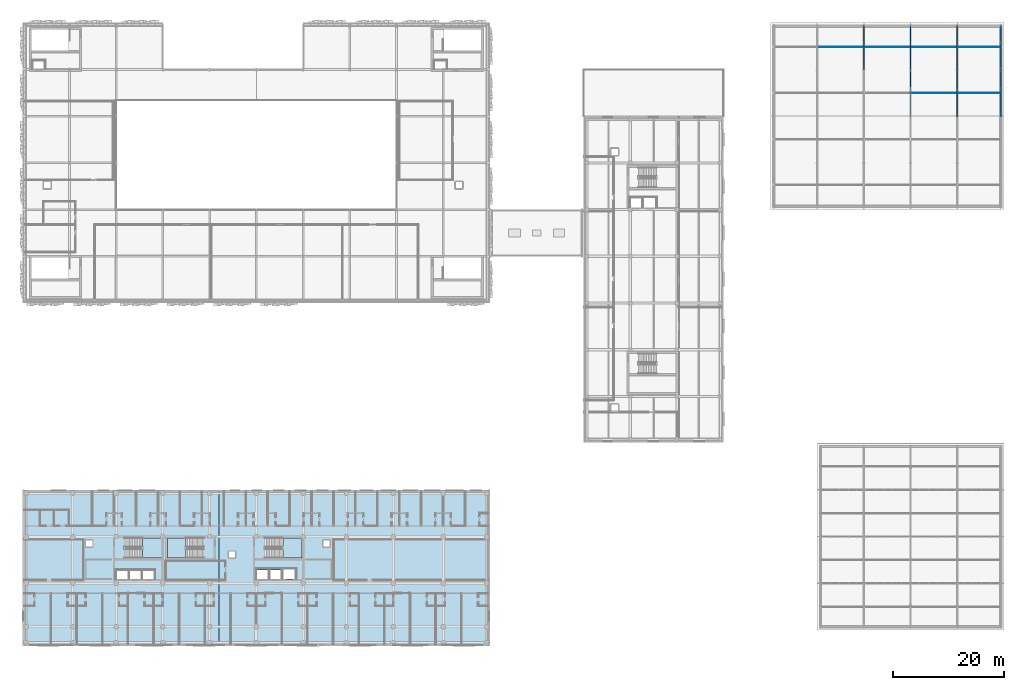
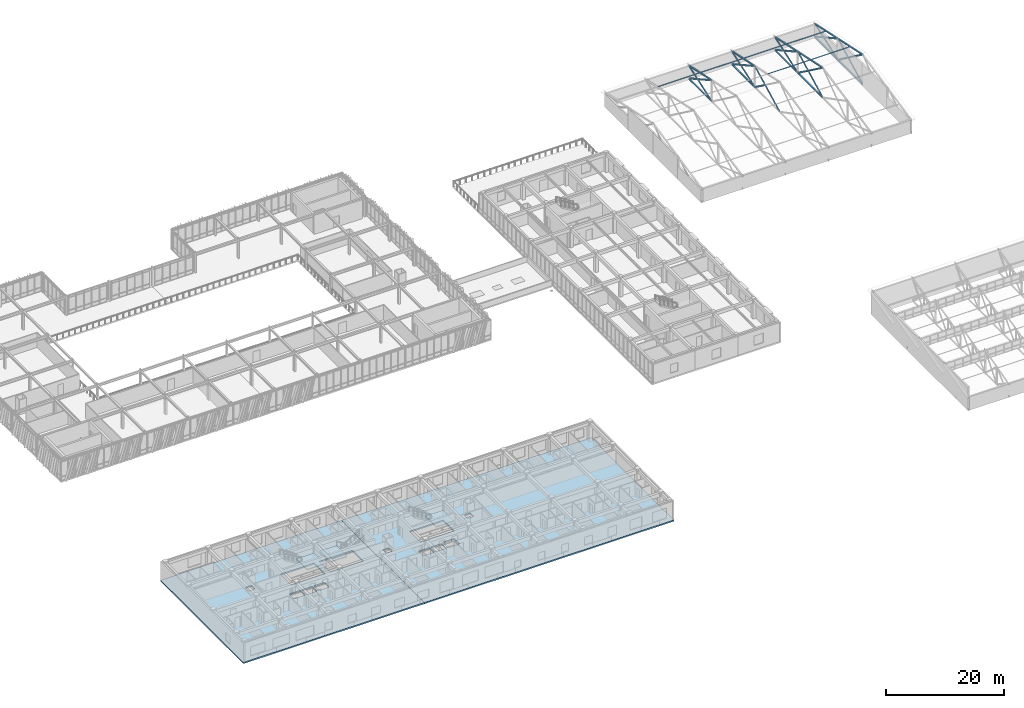
# One storey, part 85 of 123: 38 members, 5 slabs, 3 elements without a shape of their own.
"""IFC4 building model written with IfcOpenShell, lengths in metres."""

from ifc_helpers import new_model, si_unit, direction, frame, origin, origin_2d, place, context, subcontext, project, spatial, polyline, hollow_rectangle, i_section, outline, extrude, material, layer, layer_set, material_profile, profile_set, type_object, element, aggregate, save


model = new_model("IFC4")

# Units and contexts
model_context = context("Model", 3, precision=1e-05, world=origin(), true_north=direction((0.0, 1.0)))
body_context = subcontext(model_context, "Body", "Model", "MODEL_VIEW")
ifc_project = project(units=[si_unit("LENGTHUNIT", "METRE"), si_unit("AREAUNIT", "SQUARE_METRE"), si_unit("VOLUMEUNIT", "CUBIC_METRE"), si_unit("PLANEANGLEUNIT", "RADIAN"), si_unit("MASSUNIT", "GRAM", prefix="KILO")], contexts=[model_context])

# Site, building, storey
site_placement = place(None, origin())
site = spatial("IfcSite", under=ifc_project, at=site_placement, CompositionType="ELEMENT")
building_placement = place(site_placement, origin())
building = spatial("IfcBuilding", under=site, at=building_placement, Name="Zayran Congress Hotel", CompositionType="ELEMENT")
storey_placement = place(building_placement, frame((0.0, 0.0, 15.0)))
storey = spatial("IfcBuildingStorey", under=building, at=storey_placement, Name="L03", CompositionType="ELEMENT", Elevation=15.0)

# Members
ifc_material_1 = material(Name="Steel S355", Category="steel")
ifc_material_profile_1 = material_profile(ifc_material_1, i_section(OverallWidth=0.239990234375, OverallDepth=0.239990234375, WebThickness=0.010009765625, FlangeThickness=0.01708984375, at=origin_2d()), Name="HEB 240")
ifc_profile_set_1 = profile_set([ifc_material_profile_1], Name="Steel S355")
member_type_1 = type_object("IfcMemberType", Name="TP-TR-CH1", PredefinedType="CHORD", material=ifc_profile_set_1)
member_1_placement = place(storey_placement, frame((159.60009765625, 109.60009765625, 0.0), z_axis=(0.0, 1.0, 0.0), x_axis=(-1.0, 0.0, 0.0)))
element("IfcMember", 1, at=member_1_placement, inside=storey, type_object=member_type_1, Name="Ballroom Truss Bottom Chord 618", PredefinedType="CHORD", context=body_context, shape_type="SweptSolid", body=[
    extrude(i_section(OverallWidth=0.239990234375, OverallDepth=0.239990234375, WebThickness=0.010009765625, FlangeThickness=0.01708984375, at=origin_2d()), origin(), (0.0, 0.0, 1.0), 7.7998046875),
])
member_2_placement = place(storey_placement, frame((159.60009765625, 109.60009765625, 4.33544921875), z_axis=(0.0, 0.978146087871, -0.207918808149), x_axis=(-1.0, 0.0, 0.0)))
element("IfcMember", 2, at=member_2_placement, inside=storey, type_object=member_type_1, Name="Ballroom Truss Top Chord 619", PredefinedType="CHORD", context=body_context, shape_type="SweptSolid", body=[
    extrude(i_section(OverallWidth=0.239990234375, OverallDepth=0.239990234375, WebThickness=0.010009765625, FlangeThickness=0.01708984375, at=origin_2d()), origin(), (0.0, 0.0, 1.0), 7.97412109375),
])
member_3_placement = place(storey_placement, frame((168.0, 109.60009765625, 0.0), z_axis=(0.0, 1.0, 0.0), x_axis=(-1.0, 0.0, 0.0)))
element("IfcMember", 3, at=member_3_placement, inside=storey, type_object=member_type_1, Name="Ballroom Truss Bottom Chord 634", PredefinedType="CHORD", context=body_context, shape_type="SweptSolid", body=[
    extrude(i_section(OverallWidth=0.239990234375, OverallDepth=0.239990234375, WebThickness=0.010009765625, FlangeThickness=0.01708984375, at=origin_2d()), origin(), (0.0, 0.0, 1.0), 7.7998046875),
])
member_4_placement = place(storey_placement, frame((168.0, 109.60009765625, 4.33544921875), z_axis=(0.0, 0.978146087871, -0.207918808149), x_axis=(-1.0, 0.0, 0.0)))
element("IfcMember", 4, at=member_4_placement, inside=storey, type_object=member_type_1, Name="Ballroom Truss Top Chord 635", PredefinedType="CHORD", context=body_context, shape_type="SweptSolid", body=[
    extrude(i_section(OverallWidth=0.239990234375, OverallDepth=0.239990234375, WebThickness=0.010009765625, FlangeThickness=0.01708984375, at=origin_2d()), origin(), (0.0, 0.0, 1.0), 7.97412109375),
])
member_5_placement = place(storey_placement, frame((176.39990234375, 101.199951171875, 0.0), z_axis=(0.0, 1.0, 0.0), x_axis=(-1.0, 0.0, 0.0)))
element("IfcMember", 5, at=member_5_placement, inside=storey, type_object=member_type_1, Name="Ballroom Truss Bottom Chord 646", PredefinedType="CHORD", context=body_context, shape_type="SweptSolid", body=[
    extrude(i_section(OverallWidth=0.239990234375, OverallDepth=0.239990234375, WebThickness=0.010009765625, FlangeThickness=0.01708984375, at=origin_2d()), origin(), (0.0, 0.0, 1.0), 8.400146484375),
])
member_6_placement = place(storey_placement, frame((176.39990234375, 101.199951171875, 6.12109375), z_axis=(0.0, 0.97814432608, -0.207927096258), x_axis=(-1.0, 0.0, 0.0)))
element("IfcMember", 6, at=member_6_placement, inside=storey, type_object=member_type_1, Name="Ballroom Truss Top Chord 647", PredefinedType="CHORD", context=body_context, shape_type="SweptSolid", body=[
    extrude(i_section(OverallWidth=0.239990234375, OverallDepth=0.239990234375, WebThickness=0.010009765625, FlangeThickness=0.01708984375, at=origin_2d()), origin(), (0.0, 0.0, 1.0), 8.587890625),
])
member_7_placement = place(storey_placement, frame((176.39990234375, 109.60009765625, 0.0), z_axis=(0.0, 1.0, 0.0), x_axis=(-1.0, 0.0, 0.0)))
element("IfcMember", 7, at=member_7_placement, inside=storey, type_object=member_type_1, Name="Ballroom Truss Bottom Chord 650", PredefinedType="CHORD", context=body_context, shape_type="SweptSolid", body=[
    extrude(i_section(OverallWidth=0.239990234375, OverallDepth=0.239990234375, WebThickness=0.010009765625, FlangeThickness=0.01708984375, at=origin_2d()), origin(), (0.0, 0.0, 1.0), 7.7998046875),
])
member_8_placement = place(storey_placement, frame((176.39990234375, 109.60009765625, 4.33544921875), z_axis=(0.0, 0.978146087871, -0.207918808149), x_axis=(-1.0, 0.0, 0.0)))
element("IfcMember", 8, at=member_8_placement, inside=storey, type_object=member_type_1, Name="Ballroom Truss Top Chord 651", PredefinedType="CHORD", context=body_context, shape_type="SweptSolid", body=[
    extrude(i_section(OverallWidth=0.239990234375, OverallDepth=0.239990234375, WebThickness=0.010009765625, FlangeThickness=0.01708984375, at=origin_2d()), origin(), (0.0, 0.0, 1.0), 7.97412109375),
])
member_9_placement = place(storey_placement, frame((184.199951171875, 101.199951171875, 0.0), z_axis=(0.0, 1.0, 0.0), x_axis=(-1.0, 0.0, 0.0)))
element("IfcMember", 9, at=member_9_placement, inside=storey, type_object=member_type_1, Name="Ballroom Truss Bottom Chord 662", PredefinedType="CHORD", context=body_context, shape_type="SweptSolid", body=[
    extrude(i_section(OverallWidth=0.239990234375, OverallDepth=0.239990234375, WebThickness=0.010009765625, FlangeThickness=0.01708984375, at=origin_2d()), origin(), (0.0, 0.0, 1.0), 8.400146484375),
])
member_10_placement = place(storey_placement, frame((184.199951171875, 101.199951171875, 6.12109375), z_axis=(0.0, 0.97814432608, -0.207927096258), x_axis=(-1.0, 0.0, 0.0)))
element("IfcMember", 10, at=member_10_placement, inside=storey, type_object=member_type_1, Name="Ballroom Truss Top Chord 663", PredefinedType="CHORD", context=body_context, shape_type="SweptSolid", body=[
    extrude(i_section(OverallWidth=0.239990234375, OverallDepth=0.239990234375, WebThickness=0.010009765625, FlangeThickness=0.01708984375, at=origin_2d()), origin(), (0.0, 0.0, 1.0), 8.587890625),
])
member_11_placement = place(storey_placement, frame((184.199951171875, 109.60009765625, 0.0), z_axis=(0.0, 1.0, 0.0), x_axis=(-1.0, 0.0, 0.0)))
element("IfcMember", 11, at=member_11_placement, inside=storey, type_object=member_type_1, Name="Ballroom Truss Bottom Chord 666", PredefinedType="CHORD", context=body_context, shape_type="SweptSolid", body=[
    extrude(i_section(OverallWidth=0.239990234375, OverallDepth=0.239990234375, WebThickness=0.010009765625, FlangeThickness=0.01708984375, at=origin_2d()), origin(), (0.0, 0.0, 1.0), 7.7998046875),
])
member_12_placement = place(storey_placement, frame((184.199951171875, 109.60009765625, 4.33544921875), z_axis=(0.0, 0.978146087871, -0.207918808149), x_axis=(-1.0, 0.0, 0.0)))
element("IfcMember", 12, at=member_12_placement, inside=storey, type_object=member_type_1, Name="Ballroom Truss Top Chord 667", PredefinedType="CHORD", context=body_context, shape_type="SweptSolid", body=[
    extrude(i_section(OverallWidth=0.239990234375, OverallDepth=0.239990234375, WebThickness=0.010009765625, FlangeThickness=0.01708984375, at=origin_2d()), origin(), (0.0, 0.0, 1.0), 7.97412109375),
])
ifc_material_profile_2 = material_profile(ifc_material_1, i_section(OverallWidth=0.14990234375, OverallDepth=0.300048828125, WebThickness=0.007080078125, FlangeThickness=0.0107421875, at=origin_2d()), Name="IPE 300")
ifc_profile_set_2 = profile_set([ifc_material_profile_2], Name="Steel S355")
member_type_2 = type_object("IfcMemberType", Name="TP-TR-BR1", PredefinedType="BRACE", material=ifc_profile_set_2)
member_13_placement = place(storey_placement, frame((159.60009765625, 109.60009765625, 0.0), z_axis=(0.0, 0.945824171831, 0.324679281723), x_axis=(-1.0, 0.0, 0.0)))
element("IfcMember", 13, at=member_13_placement, inside=storey, type_object=member_type_2, Name="Ballroom Truss Web Diagonal 620", PredefinedType="BRACE", context=body_context, shape_type="SweptSolid", body=[
    extrude(i_section(OverallWidth=0.14990234375, OverallDepth=0.300048828125, WebThickness=0.007080078125, FlangeThickness=0.0107421875, at=origin_2d()), origin(), (0.0, 0.0, 1.0), 8.24658203125),
])
member_14_placement = place(storey_placement, frame((168.0, 101.199951171875, 0.0), z_axis=(0.0, 0.888625410681, 0.458633709503), x_axis=(-1.0, 0.0, 0.0)))
element("IfcMember", 14, at=member_14_placement, inside=storey, type_object=member_type_2, Name="Ballroom Truss Web Diagonal 632", PredefinedType="BRACE", context=body_context, shape_type="SweptSolid", body=[
    extrude(i_section(OverallWidth=0.14990234375, OverallDepth=0.300048828125, WebThickness=0.007080078125, FlangeThickness=0.0107421875, at=origin_2d()), origin(), (0.0, 0.0, 1.0), 9.452880859375),
])
member_15_placement = place(storey_placement, frame((168.0, 109.60009765625, 0.0), z_axis=(0.0, 0.945824171831, 0.324679281723), x_axis=(-1.0, 0.0, 0.0)))
element("IfcMember", 15, at=member_15_placement, inside=storey, type_object=member_type_2, Name="Ballroom Truss Web Diagonal 636", PredefinedType="BRACE", context=body_context, shape_type="SweptSolid", body=[
    extrude(i_section(OverallWidth=0.14990234375, OverallDepth=0.300048828125, WebThickness=0.007080078125, FlangeThickness=0.0107421875, at=origin_2d()), origin(), (0.0, 0.0, 1.0), 8.24658203125),
])
member_16_placement = place(storey_placement, frame((176.39990234375, 101.199951171875, 0.0), z_axis=(0.0, 0.888625410681, 0.458633709503), x_axis=(-1.0, 0.0, 0.0)))
element("IfcMember", 16, at=member_16_placement, inside=storey, type_object=member_type_2, Name="Ballroom Truss Web Diagonal 648", PredefinedType="BRACE", context=body_context, shape_type="SweptSolid", body=[
    extrude(i_section(OverallWidth=0.14990234375, OverallDepth=0.300048828125, WebThickness=0.007080078125, FlangeThickness=0.0107421875, at=origin_2d()), origin(), (0.0, 0.0, 1.0), 9.452880859375),
])
member_17_placement = place(storey_placement, frame((176.39990234375, 109.60009765625, 0.0), z_axis=(0.0, 0.945824171831, 0.324679281723), x_axis=(-1.0, 0.0, 0.0)))
element("IfcMember", 17, at=member_17_placement, inside=storey, type_object=member_type_2, Name="Ballroom Truss Web Diagonal 652", PredefinedType="BRACE", context=body_context, shape_type="SweptSolid", body=[
    extrude(i_section(OverallWidth=0.14990234375, OverallDepth=0.300048828125, WebThickness=0.007080078125, FlangeThickness=0.0107421875, at=origin_2d()), origin(), (0.0, 0.0, 1.0), 8.24658203125),
])
member_18_placement = place(storey_placement, frame((184.199951171875, 101.199951171875, 0.0), z_axis=(0.0, 0.888625410681, 0.458633709503), x_axis=(-1.0, 0.0, 0.0)))
element("IfcMember", 18, at=member_18_placement, inside=storey, type_object=member_type_2, Name="Ballroom Truss Web Diagonal 664", PredefinedType="BRACE", context=body_context, shape_type="SweptSolid", body=[
    extrude(i_section(OverallWidth=0.14990234375, OverallDepth=0.300048828125, WebThickness=0.007080078125, FlangeThickness=0.0107421875, at=origin_2d()), origin(), (0.0, 0.0, 1.0), 9.452880859375),
])
member_19_placement = place(storey_placement, frame((184.199951171875, 109.60009765625, 0.0), z_axis=(0.0, 0.945824171831, 0.324679281723), x_axis=(-1.0, 0.0, 0.0)))
element("IfcMember", 19, at=member_19_placement, inside=storey, type_object=member_type_2, Name="Ballroom Truss Web Diagonal 668", PredefinedType="BRACE", context=body_context, shape_type="SweptSolid", body=[
    extrude(i_section(OverallWidth=0.14990234375, OverallDepth=0.300048828125, WebThickness=0.007080078125, FlangeThickness=0.0107421875, at=origin_2d()), origin(), (0.0, 0.0, 1.0), 8.24658203125),
])
ifc_material_profile_3 = material_profile(ifc_material_1, i_section(OverallWidth=0.1201171875, OverallDepth=0.239990234375, WebThickness=0.006103515625, FlangeThickness=0.009765625, at=origin_2d()), Name="IPE 240")
ifc_profile_set_3 = profile_set([ifc_material_profile_3], Name="Steel S355")
member_type_3 = type_object("IfcMemberType", Name="TP-TR-BR2", PredefinedType="BRACE", material=ifc_profile_set_3)
member_20_placement = place(storey_placement, frame((159.60009765625, 109.60009765625, 4.33544921875), z_axis=(0.0, 0.874058879141, -0.485820003495), x_axis=(-1.0, 0.0, 0.0)))
element("IfcMember", 20, at=member_20_placement, inside=storey, type_object=member_type_3, Name="Ballroom Truss Counter Diagonal Upper 621", PredefinedType="BRACE", context=body_context, shape_type="SweptSolid", body=[
    extrude(i_section(OverallWidth=0.1201171875, OverallDepth=0.239990234375, WebThickness=0.006103515625, FlangeThickness=0.009765625, at=origin_2d()), origin(), (0.0, 0.0, 1.0), 5.501708984375),
])
member_21_placement = place(storey_placement, frame((159.60009765625, 114.43505859375, 1.64794921875), z_axis=(0.0, 0.87405540653, -0.485826251159), x_axis=(-1.0, 0.0, 0.0)))
element("IfcMember", 21, at=member_21_placement, inside=storey, type_object=member_type_3, Name="Ballroom Truss Counter Diagonal Lower 100", PredefinedType="BRACE", context=body_context, shape_type="SweptSolid", body=[
    extrude(i_section(OverallWidth=0.1201171875, OverallDepth=0.239990234375, WebThickness=0.006103515625, FlangeThickness=0.009765625, at=origin_2d()), origin(), (0.0, 0.0, 1.0), 3.39208984375),
])
member_22_placement = place(storey_placement, frame((168.0, 106.12939453125, 2.529052734375), z_axis=(0.0, 0.808192429021, -0.588918498328), x_axis=(-1.0, 0.0, 0.0)))
element("IfcMember", 22, at=member_22_placement, inside=storey, type_object=member_type_3, Name="Ballroom Truss Counter Diagonal Lower 103", PredefinedType="BRACE", context=body_context, shape_type="SweptSolid", body=[
    extrude(i_section(OverallWidth=0.1201171875, OverallDepth=0.239990234375, WebThickness=0.006103515625, FlangeThickness=0.009765625, at=origin_2d()), origin(), (0.0, 0.0, 1.0), 4.29443359375),
])
member_23_placement = place(storey_placement, frame((168.0, 109.60009765625, 4.33544921875), z_axis=(0.0, 0.874058879141, -0.485820003495), x_axis=(-1.0, 0.0, 0.0)))
element("IfcMember", 23, at=member_23_placement, inside=storey, type_object=member_type_3, Name="Ballroom Truss Counter Diagonal Upper 637", PredefinedType="BRACE", context=body_context, shape_type="SweptSolid", body=[
    extrude(i_section(OverallWidth=0.1201171875, OverallDepth=0.239990234375, WebThickness=0.006103515625, FlangeThickness=0.009765625, at=origin_2d()), origin(), (0.0, 0.0, 1.0), 5.501708984375),
])
member_24_placement = place(storey_placement, frame((168.0, 114.43505859375, 1.64794921875), z_axis=(0.0, 0.87405540653, -0.485826251159), x_axis=(-1.0, 0.0, 0.0)))
element("IfcMember", 24, at=member_24_placement, inside=storey, type_object=member_type_3, Name="Ballroom Truss Counter Diagonal Lower 104", PredefinedType="BRACE", context=body_context, shape_type="SweptSolid", body=[
    extrude(i_section(OverallWidth=0.1201171875, OverallDepth=0.239990234375, WebThickness=0.006103515625, FlangeThickness=0.009765625, at=origin_2d()), origin(), (0.0, 0.0, 1.0), 3.39208984375),
])
member_25_placement = place(storey_placement, frame((176.39990234375, 101.199951171875, 6.12109375), z_axis=(0.0, 0.8081738606, -0.588943979545), x_axis=(-1.0, 0.0, 0.0)))
element("IfcMember", 25, at=member_25_placement, inside=storey, type_object=member_type_3, Name="Ballroom Truss Counter Diagonal Upper 649", PredefinedType="BRACE", context=body_context, shape_type="SweptSolid", body=[
    extrude(i_section(OverallWidth=0.1201171875, OverallDepth=0.239990234375, WebThickness=0.006103515625, FlangeThickness=0.009765625, at=origin_2d()), origin(), (0.0, 0.0, 1.0), 6.0693359375),
])
member_26_placement = place(storey_placement, frame((176.39990234375, 106.12939453125, 2.529052734375), z_axis=(0.0, 0.808192429021, -0.588918498328), x_axis=(-1.0, 0.0, 0.0)))
element("IfcMember", 26, at=member_26_placement, inside=storey, type_object=member_type_3, Name="Ballroom Truss Counter Diagonal Lower 107", PredefinedType="BRACE", context=body_context, shape_type="SweptSolid", body=[
    extrude(i_section(OverallWidth=0.1201171875, OverallDepth=0.239990234375, WebThickness=0.006103515625, FlangeThickness=0.009765625, at=origin_2d()), origin(), (0.0, 0.0, 1.0), 4.29443359375),
])
member_27_placement = place(storey_placement, frame((176.39990234375, 109.60009765625, 4.33544921875), z_axis=(0.0, 0.874058879141, -0.485820003495), x_axis=(-1.0, 0.0, 0.0)))
element("IfcMember", 27, at=member_27_placement, inside=storey, type_object=member_type_3, Name="Ballroom Truss Counter Diagonal Upper 653", PredefinedType="BRACE", context=body_context, shape_type="SweptSolid", body=[
    extrude(i_section(OverallWidth=0.1201171875, OverallDepth=0.239990234375, WebThickness=0.006103515625, FlangeThickness=0.009765625, at=origin_2d()), origin(), (0.0, 0.0, 1.0), 5.501708984375),
])
member_28_placement = place(storey_placement, frame((176.39990234375, 114.43505859375, 1.64794921875), z_axis=(0.0, 0.87405540653, -0.485826251159), x_axis=(-1.0, 0.0, 0.0)))
element("IfcMember", 28, at=member_28_placement, inside=storey, type_object=member_type_3, Name="Ballroom Truss Counter Diagonal Lower 108", PredefinedType="BRACE", context=body_context, shape_type="SweptSolid", body=[
    extrude(i_section(OverallWidth=0.1201171875, OverallDepth=0.239990234375, WebThickness=0.006103515625, FlangeThickness=0.009765625, at=origin_2d()), origin(), (0.0, 0.0, 1.0), 3.39208984375),
])
member_29_placement = place(storey_placement, frame((184.199951171875, 101.199951171875, 6.12109375), z_axis=(0.0, 0.8081738606, -0.588943979545), x_axis=(-1.0, 0.0, 0.0)))
element("IfcMember", 29, at=member_29_placement, inside=storey, type_object=member_type_3, Name="Ballroom Truss Counter Diagonal Upper 665", PredefinedType="BRACE", context=body_context, shape_type="SweptSolid", body=[
    extrude(i_section(OverallWidth=0.1201171875, OverallDepth=0.239990234375, WebThickness=0.006103515625, FlangeThickness=0.009765625, at=origin_2d()), origin(), (0.0, 0.0, 1.0), 6.0693359375),
])
member_30_placement = place(storey_placement, frame((184.199951171875, 106.12939453125, 2.529052734375), z_axis=(0.0, 0.808192429021, -0.588918498328), x_axis=(-1.0, 0.0, 0.0)))
element("IfcMember", 30, at=member_30_placement, inside=storey, type_object=member_type_3, Name="Ballroom Truss Counter Diagonal Lower 111", PredefinedType="BRACE", context=body_context, shape_type="SweptSolid", body=[
    extrude(i_section(OverallWidth=0.1201171875, OverallDepth=0.239990234375, WebThickness=0.006103515625, FlangeThickness=0.009765625, at=origin_2d()), origin(), (0.0, 0.0, 1.0), 4.29443359375),
])
member_31_placement = place(storey_placement, frame((184.199951171875, 109.60009765625, 4.33544921875), z_axis=(0.0, 0.874058879141, -0.485820003495), x_axis=(-1.0, 0.0, 0.0)))
element("IfcMember", 31, at=member_31_placement, inside=storey, type_object=member_type_3, Name="Ballroom Truss Counter Diagonal Upper 669", PredefinedType="BRACE", context=body_context, shape_type="SweptSolid", body=[
    extrude(i_section(OverallWidth=0.1201171875, OverallDepth=0.239990234375, WebThickness=0.006103515625, FlangeThickness=0.009765625, at=origin_2d()), origin(), (0.0, 0.0, 1.0), 5.501708984375),
])
member_32_placement = place(storey_placement, frame((184.199951171875, 114.43505859375, 1.64794921875), z_axis=(0.0, 0.87405540653, -0.485826251159), x_axis=(-1.0, 0.0, 0.0)))
element("IfcMember", 32, at=member_32_placement, inside=storey, type_object=member_type_3, Name="Ballroom Truss Counter Diagonal Lower 112", PredefinedType="BRACE", context=body_context, shape_type="SweptSolid", body=[
    extrude(i_section(OverallWidth=0.1201171875, OverallDepth=0.239990234375, WebThickness=0.006103515625, FlangeThickness=0.009765625, at=origin_2d()), origin(), (0.0, 0.0, 1.0), 3.39208984375),
])
ifc_material_profile_4 = material_profile(ifc_material_1, hollow_rectangle(XDim=0.080078125, YDim=0.179931640625, WallThickness=0.0048828125, at=origin_2d()), Name="RHS 180x80x5")
ifc_profile_set_4 = profile_set([ifc_material_profile_4], Name="Steel S355")
member_type_4 = type_object("IfcMemberType", Name="TP-PR-02", PredefinedType="PURLIN", material=ifc_profile_set_4)
member_33_placement = place(storey_placement, frame((168.0, 105.39990234375, 5.210205078125), z_axis=(1.0, 0.0, 0.0), x_axis=(0.0, 1.0, 0.0)))
element("IfcMember", 33, at=member_33_placement, inside=storey, type_object=member_type_4, Name="MEM-PR-V2-0194", PredefinedType="PURLIN", context=body_context, shape_type="SweptSolid", body=[
    extrude(hollow_rectangle(XDim=0.080078125, YDim=0.179931640625, WallThickness=0.0048828125, at=origin_2d()), origin(), (0.0, 0.0, 1.0), 8.39990234375),
])
member_34_placement = place(storey_placement, frame((176.39990234375, 105.39990234375, 5.210205078125), z_axis=(1.0, 0.0, 0.0), x_axis=(0.0, 1.0, 0.0)))
element("IfcMember", 34, at=member_34_placement, inside=storey, type_object=member_type_4, Name="MEM-PR-V2-0195", PredefinedType="PURLIN", context=body_context, shape_type="SweptSolid", body=[
    extrude(hollow_rectangle(XDim=0.080078125, YDim=0.179931640625, WallThickness=0.0048828125, at=origin_2d()), origin(), (0.0, 0.0, 1.0), 7.800048828125),
])
member_35_placement = place(storey_placement, frame((151.199951171875, 113.60009765625, 3.46728515625), z_axis=(1.0, 0.0, 0.0), x_axis=(0.0, 1.0, 0.0)))
element("IfcMember", 35, at=member_35_placement, inside=storey, type_object=member_type_4, Name="MEM-PR-V2-0197", PredefinedType="PURLIN", context=body_context, shape_type="SweptSolid", body=[
    extrude(hollow_rectangle(XDim=0.080078125, YDim=0.179931640625, WallThickness=0.0048828125, at=origin_2d()), origin(), (0.0, 0.0, 1.0), 8.400146484375),
])
for number, where, z_axis, x_axis, name in (
    (36, (159.60009765625, 113.60009765625, 3.46728515625), (1.0, 0.0, 0.0), (0.0, 1.0, 0.0), "MEM-PR-V2-0198"),
    (37, (168.0, 113.60009765625, 3.46728515625), (1.0, 0.0, 0.0), (0.0, 1.0, 0.0), "MEM-PR-V2-0199"),
):
    element("IfcMember", number, at=place(storey_placement, frame(where, z_axis=z_axis, x_axis=x_axis)), inside=storey, type_object=member_type_4, Name=name, PredefinedType="PURLIN", context=body_context, shape_type="SweptSolid", body=[
        extrude(hollow_rectangle(XDim=0.080078125, YDim=0.179931640625, WallThickness=0.0048828125, at=origin_2d()), origin(), (0.0, 0.0, 1.0), 8.39990234375),
    ])
member_36_placement = place(storey_placement, frame((176.39990234375, 113.60009765625, 3.46728515625), z_axis=(1.0, 0.0, 0.0), x_axis=(0.0, 1.0, 0.0)))
element("IfcMember", 38, at=member_36_placement, inside=storey, type_object=member_type_4, Name="MEM-PR-V2-0200", PredefinedType="PURLIN", context=body_context, shape_type="SweptSolid", body=[
    extrude(hollow_rectangle(XDim=0.080078125, YDim=0.179931640625, WallThickness=0.0048828125, at=origin_2d()), origin(), (0.0, 0.0, 1.0), 7.800048828125),
])

# Slabs
ifc_material_2 = material(Name="Concrete C32/40", Category="concrete")
ifc_layer_1 = layer(ifc_material_2, 0.280029296875)
ifc_layer_set_1 = layer_set([ifc_layer_1], Name="Concrete C32/40")
slab_type_1 = type_object("IfcSlabType", Name="SL-FL-280", PredefinedType="FLOOR", material=ifc_layer_set_1)
slab_1_placement = place(storey_placement, frame((0.0, 0.0, -0.280029296875)))
element("IfcSlab", 39, at=slab_1_placement, inside=storey, type_object=slab_type_1, Name="SLB-V5-L03-036", PredefinedType="FLOOR", context=body_context, shape_type="SweptSolid", body=[
    extrude(outline(polyline([(8.39990234375, 6.0), (43.699951171875, 6.0), (43.699951171875, 34.0), (8.39990234375, 34.0), (8.39990234375, 6.0)]), holes=[polyline([(26.840087890625, 21.760009765625), (33.39990234375, 21.760009765625), (33.39990234375, 25.39990234375), (26.840087890625, 25.39990234375), (26.840087890625, 21.760009765625)]), polyline([(25.199951171875, 18.0), (27.39990234375, 18.0), (27.39990234375, 19.60009765625), (25.199951171875, 19.60009765625), (25.199951171875, 18.0)]), polyline([(27.60009765625, 18.0), (29.699951171875, 18.0), (29.699951171875, 19.60009765625), (27.60009765625, 19.60009765625), (27.60009765625, 18.0)]), polyline([(30.0, 18.0), (32.10009765625, 18.0), (32.10009765625, 19.60009765625), (30.0, 19.60009765625), (30.0, 18.0)]), polyline([(34.39990234375, 21.760009765625), (40.860107421875, 21.760009765625), (40.860107421875, 25.39990234375), (34.39990234375, 25.39990234375), (34.39990234375, 21.760009765625)]), polyline([(19.739990234375, 23.800048828125), (20.9599609375, 23.800048828125), (20.9599609375, 24.97998046875), (19.739990234375, 24.97998046875), (19.739990234375, 23.800048828125)])]), origin(), (0.0, 0.0, 1.0), 0.280029296875),
])
slab_2_placement = place(storey_placement, frame((0.0, 0.0, -0.280029296875)))
element("IfcSlab", 40, at=slab_2_placement, inside=storey, type_object=slab_type_1, Name="SLB-V5-L03-037", PredefinedType="FLOOR", context=body_context, shape_type="SweptSolid", body=[
    extrude(outline(polyline([(43.699951171875, 6.0), (92.39990234375, 6.0), (92.39990234375, 34.0), (43.699951171875, 34.0), (43.699951171875, 6.0)]), holes=[polyline([(52.0400390625, 21.760009765625), (58.60009765625, 21.760009765625), (58.60009765625, 25.39990234375), (52.0400390625, 25.39990234375), (52.0400390625, 21.760009765625)]), polyline([(50.39990234375, 18.0), (52.60009765625, 18.0), (52.60009765625, 19.60009765625), (50.39990234375, 19.60009765625), (50.39990234375, 18.0)]), polyline([(52.800048828125, 18.0), (54.89990234375, 18.0), (54.89990234375, 19.60009765625), (52.800048828125, 19.60009765625), (52.800048828125, 18.0)]), polyline([(55.199951171875, 18.0), (57.5, 18.0), (57.5, 19.800048828125), (55.199951171875, 19.800048828125), (55.199951171875, 18.0)]), polyline([(45.39990234375, 21.800048828125), (46.6201171875, 21.800048828125), (46.6201171875, 22.97998046875), (45.39990234375, 22.97998046875), (45.39990234375, 21.800048828125)]), polyline([(62.39990234375, 23.800048828125), (63.6201171875, 23.800048828125), (63.6201171875, 24.97998046875), (62.39990234375, 24.97998046875), (62.39990234375, 23.800048828125)])]), origin(), (0.0, 0.0, 1.0), 0.280029296875),
])

# Stair, slab
stair_type = type_object("IfcStairType", Name="TP-STR-1700-42", PredefinedType="USERDEFINED", material=ifc_material_2)
stair_1_placement = place(storey_placement, origin())
stair_1 = element("IfcStair", 41, at=stair_1_placement, inside=storey, type_object=stair_type, Name="L03 ST-01", ObjectType="TWO_RETURN_STAIR", PredefinedType="USERDEFINED")
ifc_layer_2 = layer(ifc_material_2, 0.199951171875)
ifc_layer_set_2 = layer_set([ifc_layer_2], Name="Concrete C32/40")
slab_type_2 = type_object("IfcSlabType", Name="TP-LND-1700", PredefinedType="LANDING", material=ifc_layer_set_2)
slab_3_placement = place(storey_placement, frame((0.0, 0.0, 1.89990234375)))
slab_3 = element("IfcSlab", 42, at=slab_3_placement, type_object=slab_type_2, Name="ST-01 landing 1", PredefinedType="LANDING", context=body_context, shape_type="SweptSolid", body=[
    extrude(outline(polyline([(29.945068359375, 21.760009765625), (33.39990234375, 21.760009765625), (33.39990234375, 25.39990234375), (29.945068359375, 25.39990234375), (29.945068359375, 21.760009765625)])), origin(), (0.0, 0.0, 1.0), 0.2001953125),
])
aggregate(stair_1, [slab_3])

stair_2_placement = place(storey_placement, origin())
stair_2 = element("IfcStair", 43, at=stair_2_placement, inside=storey, type_object=stair_type, Name="L03 ST-02", ObjectType="TWO_RETURN_STAIR", PredefinedType="USERDEFINED")
slab_4_placement = place(storey_placement, frame((0.0, 0.0, 1.89990234375)))
slab_4 = element("IfcSlab", 44, at=slab_4_placement, type_object=slab_type_2, Name="ST-02 landing 1", PredefinedType="LANDING", context=body_context, shape_type="SweptSolid", body=[
    extrude(outline(polyline([(55.14501953125, 21.760009765625), (58.60009765625, 21.760009765625), (58.60009765625, 25.39990234375), (55.14501953125, 25.39990234375), (55.14501953125, 21.760009765625)])), origin(), (0.0, 0.0, 1.0), 0.2001953125),
])
aggregate(stair_2, [slab_4])

stair_3_placement = place(storey_placement, origin())
stair_3 = element("IfcStair", 45, at=stair_3_placement, inside=storey, type_object=stair_type, Name="L03 ST-13", ObjectType="TWO_RETURN_STAIR", PredefinedType="USERDEFINED")
slab_5_placement = place(storey_placement, frame((0.0, 0.0, 1.89990234375)))
slab_5 = element("IfcSlab", 46, at=slab_5_placement, type_object=slab_type_2, Name="ST-13 landing 1", PredefinedType="LANDING", context=body_context, shape_type="SweptSolid", body=[
    extrude(outline(polyline([(37.7548828125, 25.39990234375), (34.39990234375, 25.39990234375), (34.39990234375, 21.760009765625), (37.7548828125, 21.760009765625), (37.7548828125, 25.39990234375)])), origin(), (0.0, 0.0, 1.0), 0.2001953125),
])
aggregate(stair_3, [slab_5])

save(model, "model.ifc")
